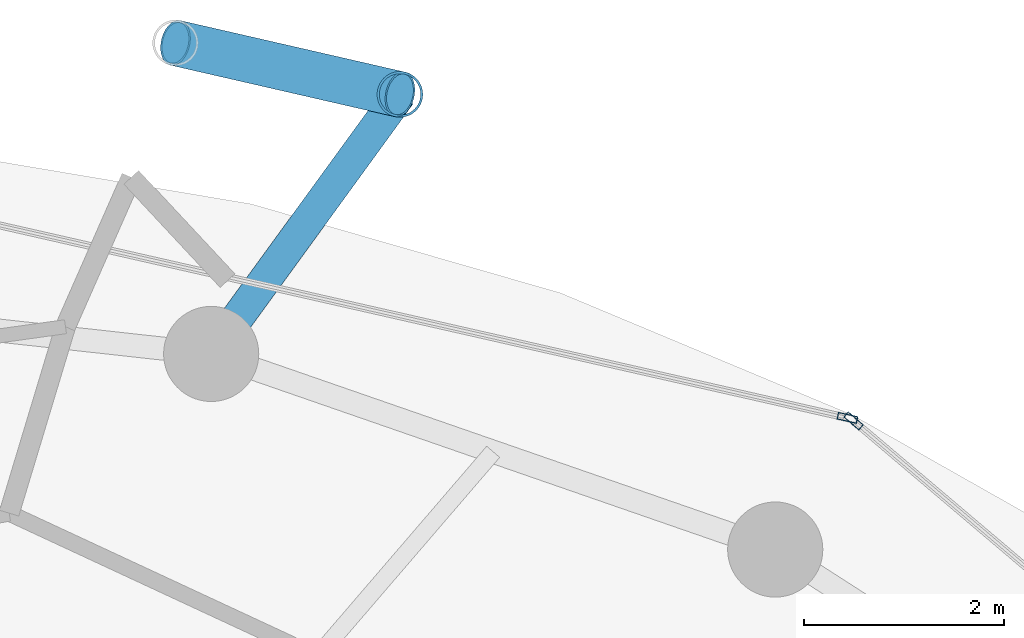
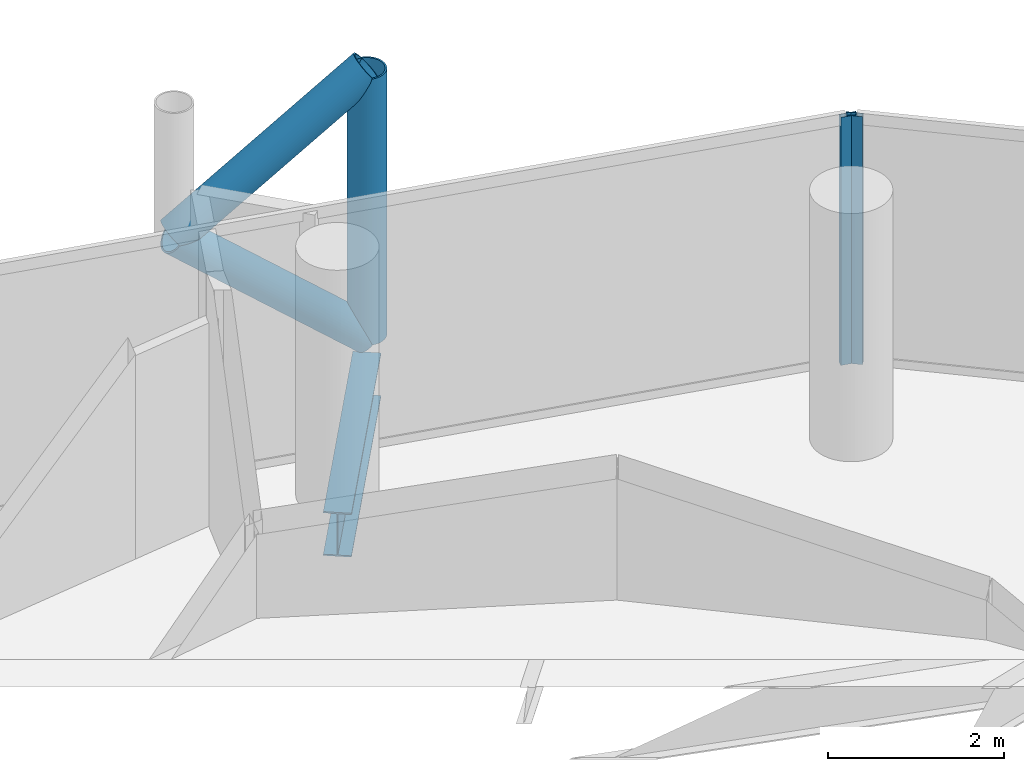
# One storey, part 20 of 26: 5 members, 1 beam, 2 elements without a shape of their own.
"""IFC4 building model written with IfcOpenShell, lengths in metres."""

from ifc_helpers import new_model, si_unit, direction, frame, origin, origin_2d, place, context, subcontext, project, spatial, hollow_rectangle, hollow_circle, i_section, extrude, material, layer, layer_set, material_profile, profile_set, type_object, element, aggregate, save


model = new_model("IFC4")

# Units and contexts
model_context = context("Model", 3, precision=1e-05, world=origin(), true_north=direction((0.0, 1.0)))
body_context = subcontext(model_context, "Body", "Model", "MODEL_VIEW")
ifc_project = project(units=[si_unit("LENGTHUNIT", "METRE"), si_unit("AREAUNIT", "SQUARE_METRE"), si_unit("VOLUMEUNIT", "CUBIC_METRE"), si_unit("PLANEANGLEUNIT", "RADIAN"), si_unit("MASSUNIT", "GRAM", prefix="KILO")], contexts=[model_context])

# Site, building, storey
site_placement = place(None, origin())
site = spatial("IfcSite", under=ifc_project, at=site_placement, CompositionType="ELEMENT")
building_placement = place(site_placement, origin())
building = spatial("IfcBuilding", under=site, at=building_placement, Name="Nuhasar Tower", CompositionType="ELEMENT")
storey_placement = place(building_placement, frame((0.0, 0.0, 166.35009765625)))
storey = spatial("IfcBuildingStorey", under=building, at=storey_placement, Name="L40", CompositionType="ELEMENT", Elevation=166.35009765625)

# Beam
ifc_material_1 = material(Name="Steel S355", Category="steel")
ifc_material_profile_1 = material_profile(ifc_material_1, i_section(OverallWidth=0.323974609375, OverallDepth=0.611083984375, WebThickness=0.0126953125, FlangeThickness=0.01904296875, at=origin_2d()), Name="W24X104")
ifc_profile_set_1 = profile_set([ifc_material_profile_1], Name="Steel S355")
beam_type = type_object("IfcBeamType", Name="BM-TIE-W24X104", PredefinedType="BEAM", material=ifc_profile_set_1)
beam_placement = place(storey_placement, frame((45.04296875, 45.68408203125, -0.55615234375), z_axis=(0.588185286445, 0.808726201387, 0.0), x_axis=(-0.808726201387, 0.588185286445, 0.0)))
element("IfcBeam", 1, at=beam_placement, inside=storey, type_object=beam_type, Name="L40 Exoskeleton Node Tie Beam 03", PredefinedType="BEAM", context=body_context, shape_type="SweptSolid", body=[
    extrude(i_section(OverallWidth=0.323974609375, OverallDepth=0.611083984375, WebThickness=0.0126953125, FlangeThickness=0.01904296875, at=origin_2d()), origin(), (0.0, 0.0, 1.0), 3.204833984375),
])

# Curtain wall, member
ifc_material_2 = material(Name="Aluminium 6063-T6", Category="aluminium")
ifc_layer = layer(ifc_material_2, 0.199951171875)
ifc_layer_set = layer_set([ifc_layer], Name="Aluminium 6063-T6")
curtain_wall_type = type_object("IfcCurtainWallType", Name="CW-Z2-HTL", PredefinedType="NOTDEFINED", material=ifc_layer_set)
curtain_wall_1_placement = place(storey_placement, origin())
curtain_wall_1 = element("IfcCurtainWall", 2, at=curtain_wall_1_placement, inside=storey, type_object=curtain_wall_type, Name="L40 Unitised Curtain Wall 02", PredefinedType="NOTDEFINED")
ifc_material_profile_2 = material_profile(ifc_material_2, hollow_rectangle(XDim=0.070068359375, YDim=0.199951171875, WallThickness=0.0048828125, at=origin_2d()), Name="CWM-3")
ifc_profile_set_2 = profile_set([ifc_material_profile_2], Name="Aluminium 6063-T6")
member_type_1 = type_object("IfcMemberType", Name="CW-MUL-S3", PredefinedType="MULLION", material=ifc_profile_set_2)
member_1_placement = place(storey_placement, frame((51.456787109375, 45.015380859375, 0.0), z_axis=(0.0, 0.0, 1.0), x_axis=(-0.646374438324, -0.763020370292, 0.0)))
member_1 = element("IfcMember", 3, at=member_1_placement, type_object=member_type_1, Name="CW-Z2 mullion 2", PredefinedType="MULLION", context=body_context, shape_type="SweptSolid", body=[
    extrude(hollow_rectangle(XDim=0.070068359375, YDim=0.199951171875, WallThickness=0.0048828125, at=origin_2d()), origin(), (0.0, 0.0, 1.0), 3.449951171875),
])
aggregate(curtain_wall_1, [member_1])

curtain_wall_2_placement = place(storey_placement, origin())
curtain_wall_2 = element("IfcCurtainWall", 4, at=curtain_wall_2_placement, inside=storey, type_object=curtain_wall_type, Name="L40 Unitised Curtain Wall 03", PredefinedType="NOTDEFINED")
member_2_placement = place(storey_placement, frame((51.395751953125, 45.045654296875, 0.0), z_axis=(0.0, 0.0, 1.0), x_axis=(-0.22139729566, -0.975183694221, 0.0)))
member_2 = element("IfcMember", 5, at=member_2_placement, type_object=member_type_1, Name="CW-Z2 mullion 1", PredefinedType="MULLION", context=body_context, shape_type="SweptSolid", body=[
    extrude(hollow_rectangle(XDim=0.070068359375, YDim=0.199951171875, WallThickness=0.0048828125, at=origin_2d()), origin(), (0.0, 0.0, 1.0), 3.449951171875),
])
aggregate(curtain_wall_2, [member_2])

# Members
ifc_material_3 = material(Name="Steel S460", Category="steel")
ifc_material_profile_3 = material_profile(ifc_material_3, hollow_circle(Radius=0.228515625, WallThickness=0.022216796875, at=origin_2d()), Name="HSS457X22.2")
ifc_profile_set_3 = profile_set([ifc_material_profile_3], Name="Steel S460")
member_type_2 = type_object("IfcMemberType", Name="EXO-BRONZE-457", PredefinedType="BRACE", material=ifc_profile_set_3)
member_3_placement = place(storey_placement, frame((46.927978515625, 48.27587890625, 0.0), z_axis=(0.0, 0.0, 1.0), x_axis=(1.0, 0.0, 0.0)))
element("IfcMember", 6, at=member_3_placement, inside=storey, type_object=member_type_2, Name="L40 Exoskeleton Chord Column EC-03A", PredefinedType="BRACE", context=body_context, shape_type="SweptSolid", body=[
    extrude(hollow_circle(Radius=0.228515625, WallThickness=0.022216796875, at=origin_2d()), origin(), (0.0, 0.0, 1.0), 3.699951171875),
])
member_4_placement = place(storey_placement, frame((46.927978515625, 48.27587890625, 0.0), z_axis=(-0.759538919781, 0.174190239035, 0.626704388019), x_axis=(-0.223533724104, -0.974696195842, 0.0)))
element("IfcMember", 7, at=member_4_placement, inside=storey, type_object=member_type_2, Name="L40 Bronze Diagrid Brace W1-03", PredefinedType="BRACE", context=body_context, shape_type="SweptSolid", body=[
    extrude(hollow_circle(Radius=0.228515625, WallThickness=0.022216796875, at=origin_2d()), origin(), (0.0, 0.0, 1.0), 2.95166015625),
])
member_5_placement = place(storey_placement, frame((44.68603515625, 48.7900390625, 1.849853515625), z_axis=(0.759499549084, -0.174181209885, 0.626754609927), x_axis=(0.223533724104, 0.974696195842, 0.0)))
element("IfcMember", 8, at=member_5_placement, inside=storey, type_object=member_type_2, Name="L40 Bronze Diagrid Brace W2-03", PredefinedType="BRACE", context=body_context, shape_type="SweptSolid", body=[
    extrude(hollow_circle(Radius=0.228515625, WallThickness=0.022216796875, at=origin_2d()), origin(), (0.0, 0.0, 1.0), 2.951904296875),
])

save(model, "model.ifc")
